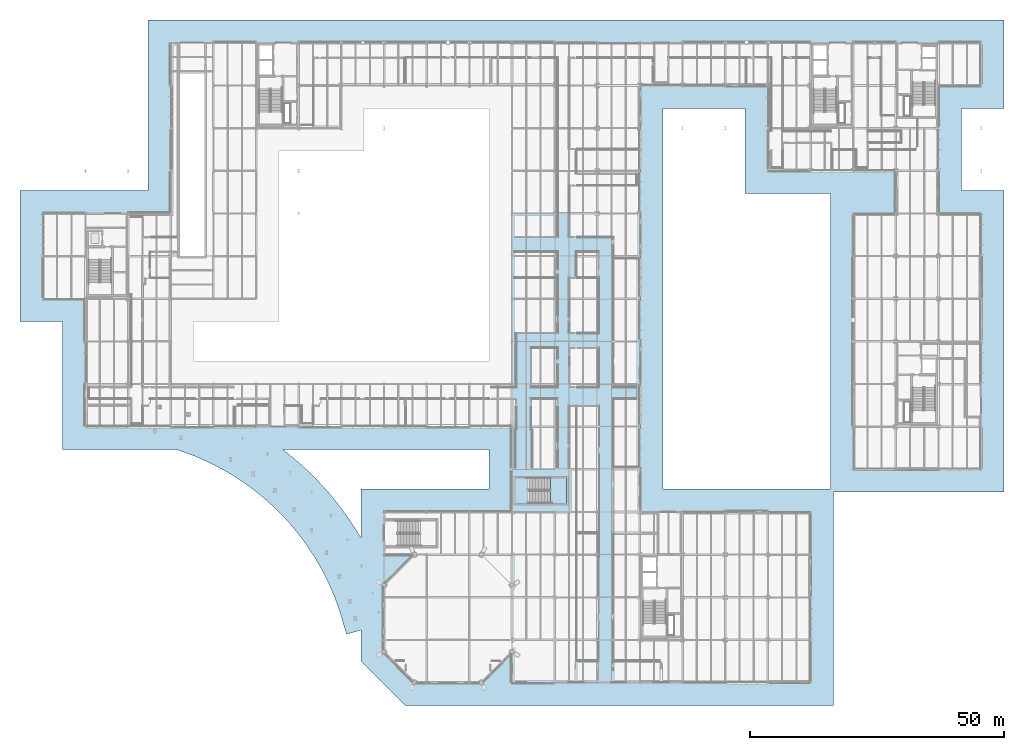
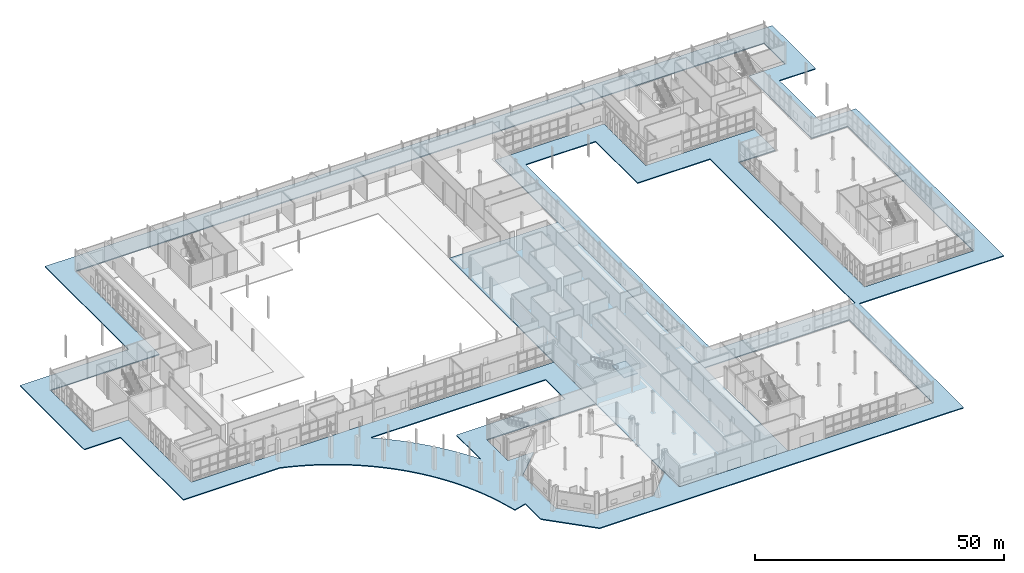
# One storey, part 72 of 124: 3 slabs, 1 element without a shape of its own.
"""IFC4 building model written with IfcOpenShell, lengths in metres."""

from ifc_helpers import new_model, si_unit, direction, frame, origin, place, context, subcontext, project, spatial, polyline, outline, extrude, material, layer, layer_set, type_object, element, aggregate, save


model = new_model("IFC4")

# Units and contexts
model_context = context("Model", 3, precision=1e-05, world=origin(), true_north=direction((0.0, 1.0)))
body_context = subcontext(model_context, "Body", "Model", "MODEL_VIEW")
ifc_project = project(units=[si_unit("LENGTHUNIT", "METRE"), si_unit("AREAUNIT", "SQUARE_METRE"), si_unit("VOLUMEUNIT", "CUBIC_METRE"), si_unit("PLANEANGLEUNIT", "RADIAN"), si_unit("MASSUNIT", "GRAM", prefix="KILO")], contexts=[model_context])

# Site, building, storey
site_placement = place(None, origin())
site = spatial("IfcSite", under=ifc_project, at=site_placement, CompositionType="ELEMENT")
building_placement = place(site_placement, origin())
building = spatial("IfcBuilding", under=site, at=building_placement, Name="Mersafa Astral City Hall", CompositionType="ELEMENT")
storey_placement = place(building_placement, origin())
storey = spatial("IfcBuildingStorey", under=building, at=storey_placement, Name="L00", CompositionType="ELEMENT", Elevation=0.0)

# Stair, slab
ifc_material_1 = material(Name="Concrete C40/50", Category="concrete")
stair_type = type_object("IfcStairType", Name="STAIR", PredefinedType="HALF_TURN_STAIR", material=ifc_material_1)
stair_placement = place(storey_placement, origin())
stair = element("IfcStair", 1, at=stair_placement, inside=storey, type_object=stair_type, Name="L00 Assembly Protected Exit Stair ST8", PredefinedType="HALF_TURN_STAIR")
ifc_layer_1 = layer(ifc_material_1, 0.199951171875, Name="Concrete C40/50")
ifc_layer_set_1 = layer_set([ifc_layer_1], Name="Concrete C40/50 — STAIR-LANDING")
slab_type_1 = type_object("IfcSlabType", Name="STAIR-LANDING", PredefinedType="LANDING", material=ifc_layer_set_1)
slab_1_placement = place(storey_placement, frame((0.0, 0.0, 2.5)))
slab_1 = element("IfcSlab", 2, at=slab_1_placement, type_object=slab_type_1, Name="ST8 landing 1", PredefinedType="LANDING", context=body_context, shape_type="SweptSolid", body=[
    extrude(outline(polyline([(100.0, 35.320068359375), (103.14990234375, 35.320068359375), (103.14990234375, 40.280029296875), (100.0, 40.280029296875), (100.0, 35.320068359375)])), origin(), (0.0, 0.0, 1.0), 0.199951171875),
])
aggregate(stair, [slab_1])

# Slabs
ifc_material_2 = material(Name="Concrete C35/45", Category="concrete")
ifc_layer_2 = layer(ifc_material_2, 0.239990234375, Name="Concrete C35/45")
ifc_layer_set_2 = layer_set([ifc_layer_2], Name="Concrete C35/45 — STR-SLAB-APRON-240")
slab_type_2 = type_object("IfcSlabType", Name="STR-SLAB-APRON-240", PredefinedType="BASESLAB", material=ifc_layer_set_2)
slab_2_placement = place(storey_placement, frame((0.0, 0.0, -0.239990234375)))
element("IfcSlab", 3, at=slab_2_placement, inside=storey, type_object=slab_type_2, Name="L00 Exterior civic plaza apron slab 1", PredefinedType="BASESLAB", context=body_context, shape_type="SweptSolid", body=[
    extrude(outline(polyline([(59.80126953125, 9.533447265625), (58.6103515625, 13.552001953125), (58.074951171875, 15.156005859375), (57.485107421875, 16.74072265625), (56.84130859375, 18.3046875), (56.14453125, 19.845458984375), (55.3955078125, 21.361572265625), (54.59521484375, 22.85107421875), (53.744384765625, 24.3125), (52.843994140625, 25.743896484375), (51.8955078125, 27.14404296875), (50.899658203125, 28.510498046875), (49.85791015625, 29.842529296875), (48.77099609375, 31.137939453125), (47.640380859375, 32.395751953125), (46.4677734375, 33.614013671875), (45.25390625, 34.79150390625), (44.0009765625, 35.927001953125), (42.709716796875, 37.018798828125), (41.3818359375, 38.06591796875), (40.01904296875, 39.067138671875), (38.622802734375, 40.021240234375), (37.195068359375, 40.92724609375), (35.73681640625, 41.78369140625), (34.25048828125, 42.58984375), (32.7373046875, 43.3447265625), (31.19921875, 44.047607421875), (29.63818359375, 44.697509765625), (28.0556640625, 45.293701171875), (26.45361328125, 45.835693359375), (26.239501953125, 45.89990234375), (3.89990234375, 45.89990234375), (3.89990234375, 71.10009765625), (-4.5, 71.10009765625), (-4.5, 96.89990234375), (20.699951171875, 96.89990234375), (20.699951171875, 130.5), (189.300048828125, 130.5), (189.300048828125, 113.10009765625), (180.89990234375, 113.10009765625), (180.89990234375, 96.89990234375), (189.300048828125, 96.89990234375), (189.300048828125, 37.5), (155.699951171875, 37.5), (155.699951171875, -4.5), (88.263916015625, -4.5), (87.89990234375, -4.5), (71.3359375, -4.5), (62.699951171875, 4.135986328125), (62.699951171875, 10.338623046875), (59.80126953125, 9.533447265625)]), holes=[polyline([(47.318603515625, 45.864013671875), (48.909423828125, 44.609375), (50.456298828125, 43.301513671875), (51.95751953125, 41.941162109375), (53.41162109375, 40.530517578125), (54.81640625, 39.071044921875), (56.170654296875, 37.564453125), (57.472900390625, 36.01220703125), (58.720947265625, 34.41650390625), (59.9140625, 32.779296875), (61.05029296875, 31.102294921875), (62.12890625, 29.387451171875), (62.699951171875, 28.40625), (62.699951171875, 38.10009765625), (87.89990234375, 38.10009765625), (87.89990234375, 45.89990234375), (47.269775390625, 45.89990234375), (47.318603515625, 45.864013671875)]), polyline([(67.19189453125, 11.586669921875), (67.19189453125, 5.99658203125), (73.19677734375, -0.008056640625), (86.4033203125, -0.008056640625), (92.39208984375, 5.980712890625), (92.39208984375, -0.008056640625), (151.2080078125, -0.008056640625), (151.2080078125, 33.60791015625), (117.60791015625, 33.60791015625), (117.60791015625, 117.592041015625), (142.7919921875, 117.592041015625), (142.7919921875, 100.7919921875), (167.991943359375, 100.7919921875), (167.991943359375, 92.407958984375), (159.592041015625, 92.407958984375), (159.592041015625, 41.991943359375), (184.80810546875, 41.991943359375), (184.80810546875, 92.407958984375), (176.407958984375, 92.407958984375), (176.407958984375, 117.592041015625), (184.80810546875, 117.592041015625), (184.80810546875, 126.008056640625), (25.19189453125, 126.008056640625), (25.19189453125, 92.407958984375), (-0.008056640625, 92.407958984375), (-0.008056640625, 75.592041015625), (8.39208984375, 75.592041015625), (8.39208984375, 50.39208984375), (14.28564453125, 50.39208984375), (40.419189453125, 50.39208984375), (92.39208984375, 50.39208984375), (92.39208984375, 33.60791015625), (67.19189453125, 33.60791015625), (67.19189453125, 25.19189453125), (73.1806640625, 25.19189453125), (67.19189453125, 19.203369140625), (67.19189453125, 18.753662109375), (67.19189453125, 11.586669921875)]), polyline([(138.300048828125, 113.10009765625), (122.10009765625, 113.10009765625), (122.10009765625, 38.10009765625), (155.10009765625, 38.10009765625), (155.10009765625, 96.300048828125), (138.300048828125, 96.300048828125), (138.300048828125, 113.10009765625)])]), origin(), (0.0, 0.0, 1.0), 0.239990234375),
])
ifc_layer_3 = layer(ifc_material_2, 0.25, Name="Concrete C35/45")
ifc_layer_set_3 = layer_set([ifc_layer_3], Name="Concrete C35/45 — STR-SLAB-FLR-250")
slab_type_3 = type_object("IfcSlabType", Name="STR-SLAB-FLR-250", PredefinedType="FLOOR", material=ifc_layer_set_3)
slab_3_placement = place(storey_placement, frame((0.0, 0.0, -0.25)))
element("IfcSlab", 4, at=slab_3_placement, inside=storey, type_object=slab_type_3, Name="L00 V2 structural floor slab 1", PredefinedType="FLOOR", context=body_context, shape_type="SweptSolid", body=[
    extrude(outline(polyline([(92.39990234375, 33.60009765625), (92.39990234375, 42.0), (92.39990234375, 50.39990234375), (92.39990234375, 58.800048828125), (92.39990234375, 67.199951171875), (92.39990234375, 75.60009765625), (92.39990234375, 84.0), (92.39990234375, 92.39990234375), (100.800048828125, 92.39990234375), (109.199951171875, 92.39990234375), (117.60009765625, 92.39990234375), (117.60009765625, 84.0), (117.60009765625, 75.60009765625), (117.60009765625, 67.199951171875), (117.60009765625, 58.800048828125), (117.60009765625, 50.39990234375), (117.60009765625, 42.0), (117.60009765625, 33.60009765625), (117.60009765625, 25.199951171875), (117.60009765625, 16.800048828125), (117.60009765625, 8.39990234375), (117.60009765625, 0.0), (109.199951171875, 0.0), (100.800048828125, 0.0), (92.39990234375, 0.0), (92.39990234375, 8.39990234375), (92.39990234375, 16.800048828125), (92.39990234375, 25.199951171875), (92.39990234375, 33.60009765625)])), origin(), (0.0, 0.0, 1.0), 0.25),
])

save(model, "model.ifc")
